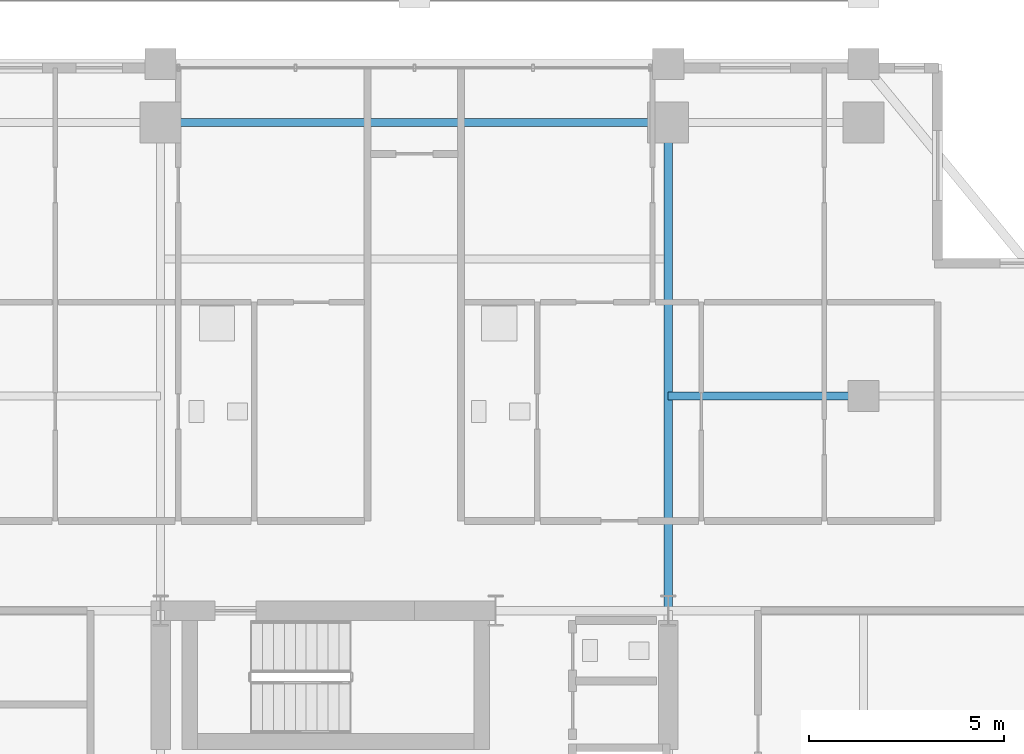
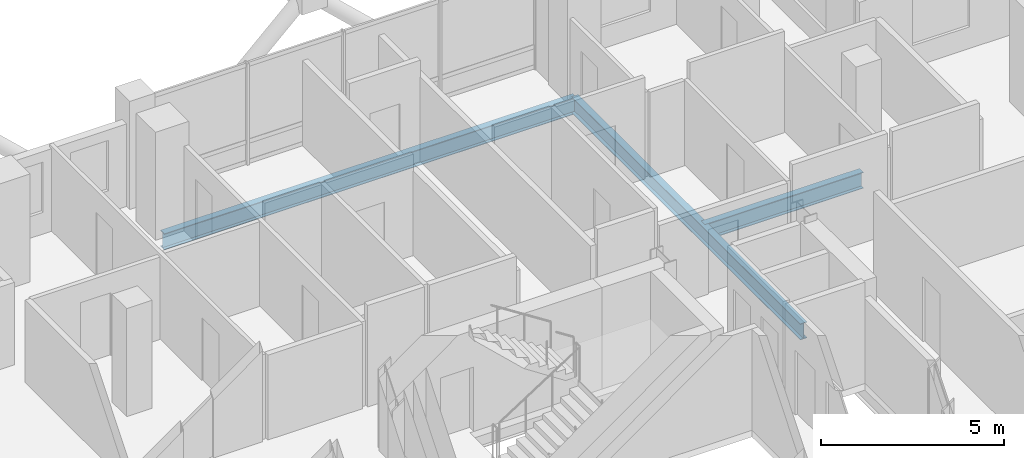
# One storey, part 14 of 24: 3 beams.
"""IFC4 building model written with IfcOpenShell, lengths in metres."""

from ifc_helpers import new_model, si_unit, direction, frame, origin, origin_2d, place, context, subcontext, project, spatial, i_section, extrude, material, material_profile, profile_set, type_object, element, save


model = new_model("IFC4")

# Units and contexts
model_context = context("Model", 3, precision=1e-05, world=origin(), true_north=direction((0.0, 1.0)))
body_context = subcontext(model_context, "Body", "Model", "MODEL_VIEW")
ifc_project = project(units=[si_unit("LENGTHUNIT", "METRE"), si_unit("AREAUNIT", "SQUARE_METRE"), si_unit("VOLUMEUNIT", "CUBIC_METRE"), si_unit("PLANEANGLEUNIT", "RADIAN"), si_unit("MASSUNIT", "GRAM", prefix="KILO")], contexts=[model_context])

# Site, building, storey
site_placement = place(None, origin())
site = spatial("IfcSite", under=ifc_project, at=site_placement, CompositionType="ELEMENT")
building_placement = place(site_placement, origin())
building = spatial("IfcBuilding", under=site, at=building_placement, Name="Barlavira Tower and Art Museum", CompositionType="ELEMENT")
storey_placement = place(building_placement, frame((0.0, 0.0, 194.39990234375)))
storey = spatial("IfcBuildingStorey", under=building, at=storey_placement, Name="L50", CompositionType="ELEMENT", Elevation=194.39990234375)

# Beams
ifc_material = material(Name="Steel S355", Category="steel")
ifc_material_profile = material_profile(ifc_material, i_section(OverallWidth=0.2109375, OverallDepth=0.5390625, WebThickness=0.01171875, FlangeThickness=0.018798828125, at=origin_2d()), Name="W530x109.0")
ifc_profile_set = profile_set([ifc_material_profile], Name="Steel S355")
beam_type = type_object("IfcBeamType", Name="Zone 3-4 Primary Floor Girder W530x109 Steel S355", PredefinedType="BEAM", material=ifc_profile_set)
beam_1_placement = place(storey_placement, frame((-6.5, 20.0, -0.489501953125), z_axis=(1.0, 0.0, 0.0), x_axis=(0.0, 1.0, 0.0)))
element("IfcBeam", 1, at=beam_1_placement, inside=storey, type_object=beam_type, Name="L50 Girder M-N2", PredefinedType="BEAM", context=body_context, shape_type="SweptSolid", body=[
    extrude(i_section(OverallWidth=0.2109375, OverallDepth=0.5390625, WebThickness=0.01171875, FlangeThickness=0.018798828125, at=origin_2d()), origin(), (0.0, 0.0, 1.0), 13.0),
])
beam_2_placement = place(storey_placement, frame((6.5, 7.5, -0.489501953125), z_axis=(0.0, 1.0, 0.0), x_axis=(-1.0, 0.0, 0.0)))
element("IfcBeam", 2, at=beam_2_placement, inside=storey, type_object=beam_type, Name="L50 Girder R-N2", PredefinedType="BEAM", context=body_context, shape_type="SweptSolid", body=[
    extrude(i_section(OverallWidth=0.2109375, OverallDepth=0.5390625, WebThickness=0.01171875, FlangeThickness=0.018798828125, at=origin_2d()), origin(), (0.0, 0.0, 1.0), 12.5),
])
beam_3_placement = place(storey_placement, frame((6.5, 13.0, -0.489501953125), z_axis=(1.0, 0.0, 0.0), x_axis=(0.0, 1.0, 0.0)))
element("IfcBeam", 3, at=beam_3_placement, inside=storey, type_object=beam_type, Name="L50 Girder I-N3", PredefinedType="BEAM", context=body_context, shape_type="SweptSolid", body=[
    extrude(i_section(OverallWidth=0.2109375, OverallDepth=0.5390625, WebThickness=0.01171875, FlangeThickness=0.018798828125, at=origin_2d()), origin(), (0.0, 0.0, 1.0), 5.0),
])

save(model, "model.ifc")
